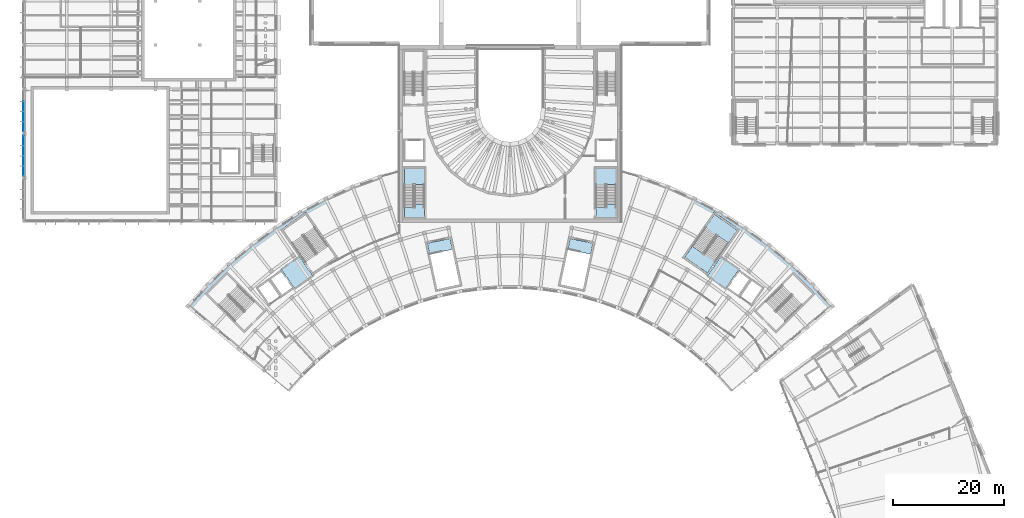
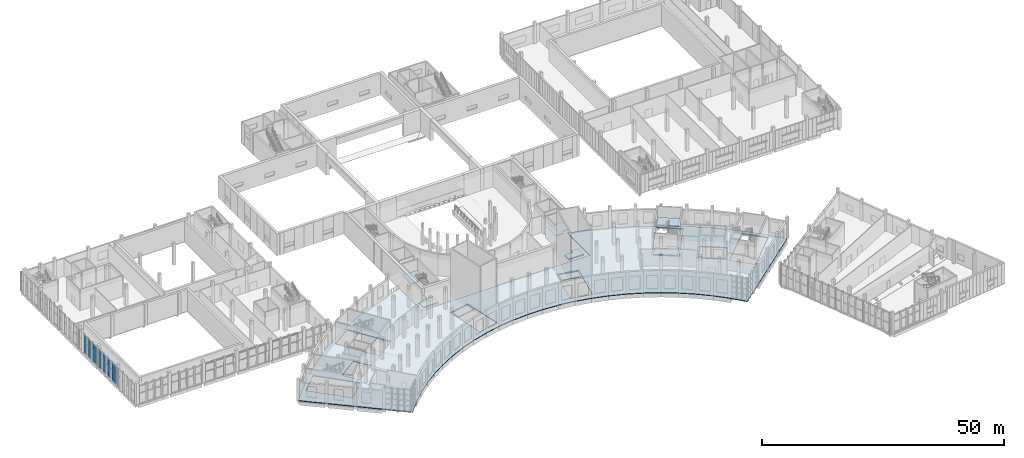
# One storey, part 26 of 87: 14 plates, 9 slabs, 5 elements without a shape of their own.
"""IFC4 building model written with IfcOpenShell, lengths in metres."""

from ifc_helpers import new_model, si_unit, direction, frame, origin, origin_2d, place, context, subcontext, project, spatial, polyline, rectangle, outline, extrude, material, layer, layer_set, type_object, element, aggregate, save


model = new_model("IFC4")

# Units and contexts
model_context = context("Model", 3, precision=1e-05, world=origin(), true_north=direction((0.0, 1.0)))
body_context = subcontext(model_context, "Body", "Model", "MODEL_VIEW")
ifc_project = project(units=[si_unit("LENGTHUNIT", "METRE"), si_unit("AREAUNIT", "SQUARE_METRE"), si_unit("VOLUMEUNIT", "CUBIC_METRE"), si_unit("PLANEANGLEUNIT", "RADIAN"), si_unit("MASSUNIT", "GRAM", prefix="KILO")], contexts=[model_context])

# Site, building, storey
site_placement = place(None, origin())
site = spatial("IfcSite", under=ifc_project, at=site_placement, CompositionType="ELEMENT")
building_placement = place(site_placement, origin())
building = spatial("IfcBuilding", under=site, at=building_placement, Name="Lunette Opera House", CompositionType="ELEMENT")
storey_placement = place(building_placement, frame((0.0, 0.0, 11.5)))
storey = spatial("IfcBuildingStorey", under=building, at=storey_placement, Name="L02", CompositionType="ELEMENT", Elevation=11.5)

# Slabs
ifc_material_1 = material(Name="Concrete C35/45", Category="concrete")
ifc_layer_1 = layer(ifc_material_1, 0.219970703125)
ifc_layer_set_1 = layer_set([ifc_layer_1], Name="Concrete C35/45")
slab_type_1 = type_object("IfcSlabType", Name="CORE LANDING SLAB 220", PredefinedType="LANDING", material=ifc_layer_set_1)
slab_1_placement = place(storey_placement, frame((0.0, 0.0, -0.219970703125)))
element("IfcSlab", 1, at=slab_1_placement, inside=storey, type_object=slab_type_1, Name="GS1 floor landing", PredefinedType="LANDING", context=body_context, shape_type="SweptSolid", body=[
    extrude(outline(polyline([(85.1640625, 61.08203125), (85.58203125, 59.115966796875), (83.625, 58.699951171875), (83.623046875, 58.7099609375), (81.471923828125, 58.2529296875), (81.055908203125, 60.208984375), (85.1640625, 61.08203125)])), origin(), (0.0, 0.0, 1.0), 0.219970703125),
])
slab_2_placement = place(storey_placement, frame((0.0, 0.0, -0.219970703125)))
element("IfcSlab", 2, at=slab_2_placement, inside=storey, type_object=slab_type_1, Name="GS2 floor landing", PredefinedType="LANDING", context=body_context, shape_type="SweptSolid", body=[
    extrude(outline(polyline([(110.944091796875, 60.208984375), (110.52587890625, 58.242919921875), (108.570068359375, 58.658935546875), (108.572021484375, 58.6689453125), (106.419921875, 59.1259765625), (106.8359375, 61.08203125), (110.944091796875, 60.208984375)])), origin(), (0.0, 0.0, 1.0), 0.219970703125),
])
slab_3_placement = place(storey_placement, frame((0.0, 0.0, -0.219970703125)))
element("IfcSlab", 3, at=slab_3_placement, inside=storey, type_object=slab_type_1, Name="ST3 floor landing", PredefinedType="LANDING", context=body_context, shape_type="SweptSolid", body=[
    extrude(outline(polyline([(127.5029296875, 57.718994140625), (128.885986328125, 59.693115234375), (130.85205078125, 58.31689453125), (130.845947265625, 58.30810546875), (131.010009765625, 58.193115234375), (131.412109375, 58.76708984375), (133.3779296875, 57.389892578125), (131.60009765625, 54.85107421875), (127.5029296875, 57.718994140625)])), origin(), (0.0, 0.0, 1.0), 0.219970703125),
])
ifc_material_2 = material(Name="Concrete C35/45", Category="concrete")
ifc_layer_2 = layer(ifc_material_2, 0.300048828125)
ifc_layer_set_2 = layer_set([ifc_layer_2], Name="Concrete C35/45")
slab_type_2 = type_object("IfcSlabType", Name="CORE LANDING SLAB 300", PredefinedType="LANDING", material=ifc_layer_set_2)
slab_4_placement = place(storey_placement, frame((0.0, 0.0, -0.300048828125)))
element("IfcSlab", 4, at=slab_4_placement, inside=storey, type_object=slab_type_2, Name="ST7 floor landing", PredefinedType="LANDING", context=body_context, shape_type="SweptSolid", body=[
    extrude(outline(polyline([(76.89990234375, 64.89990234375), (76.89990234375, 66.6298828125), (78.6201171875, 66.6298828125), (78.6201171875, 66.6201171875), (78.780029296875, 66.6201171875), (78.780029296875, 67.320068359375), (80.5, 67.320068359375), (80.5, 64.89990234375), (76.89990234375, 64.89990234375)])), origin(), (0.0, 0.0, 1.0), 0.300048828125),
])
slab_5_placement = place(storey_placement, frame((0.0, 0.0, -0.300048828125)))
element("IfcSlab", 5, at=slab_5_placement, inside=storey, type_object=slab_type_2, Name="ST8 floor landing", PredefinedType="LANDING", context=body_context, shape_type="SweptSolid", body=[
    extrude(outline(polyline([(111.5, 64.89990234375), (111.5, 66.6298828125), (113.219970703125, 66.6298828125), (113.219970703125, 66.6201171875), (113.3798828125, 66.6201171875), (113.3798828125, 67.320068359375), (115.10009765625, 67.320068359375), (115.10009765625, 64.89990234375), (111.5, 64.89990234375)])), origin(), (0.0, 0.0, 1.0), 0.300048828125),
])

# Curtain wall, plates
ifc_material_3 = material(Name="Aluminium", Category="aluminium")
ifc_layer_3 = layer(ifc_material_3, 0.179931640625)
ifc_layer_set_3 = layer_set([ifc_layer_3], Name="Aluminium")
curtain_wall_type = type_object("IfcCurtainWallType", Name="SUN FACE CURTAIN WALL", PredefinedType="NOTDEFINED", material=ifc_layer_set_3)
curtain_wall_1_placement = place(storey_placement, origin())
curtain_wall_1 = element("IfcCurtainWall", 6, at=curtain_wall_1_placement, inside=storey, type_object=curtain_wall_type, Name="Sun Face Curtain Wall F16 L02", PredefinedType="NOTDEFINED")
ifc_material_4 = material(Name="Laminated glass", Category="glass")
ifc_layer_4 = layer(ifc_material_4, 0.028076171875)
ifc_layer_set_4 = layer_set([ifc_layer_4], Name="Laminated glass")
plate_type = type_object("IfcPlateType", Name="CURTAIN PANEL LAMINATED GLASS 28", PredefinedType="CURTAIN_PANEL", material=ifc_layer_set_4)
plate_1_placement = place(storey_placement, frame((8.181884765625, 84.91748046875, 0.06005859375), z_axis=(0.0, 0.0, 1.0), x_axis=(0.0, -1.0, 0.0)))
plate_1 = element("IfcPlate", 7, at=plate_1_placement, type_object=plate_type, Name="RW-X2032 panel 2.1", PredefinedType="CURTAIN_PANEL", context=body_context, shape_type="SweptSolid", body=[
    extrude(rectangle(XDim=1.77490234375, YDim=0.028076171875, at=origin_2d()), origin(), (0.0, 0.0, 1.0), 2.5849609375),
])
plate_2_placement = place(storey_placement, frame((8.181884765625, 84.91748046875, 2.705078125), z_axis=(0.0, 0.0, 1.0), x_axis=(0.0, -1.0, 0.0)))
plate_2 = element("IfcPlate", 8, at=plate_2_placement, type_object=plate_type, Name="RW-X2032 panel 2.2", PredefinedType="CURTAIN_PANEL", context=body_context, shape_type="SweptSolid", body=[
    extrude(rectangle(XDim=1.77490234375, YDim=0.028076171875, at=origin_2d()), origin(), (0.0, 0.0, 1.0), 1.784912109375),
])
plate_3_placement = place(storey_placement, frame((8.181884765625, 83.08251953125, 0.06005859375), z_axis=(0.0, 0.0, 1.0), x_axis=(0.0, -1.0, 0.0)))
plate_3 = element("IfcPlate", 9, at=plate_3_placement, type_object=plate_type, Name="RW-X2032 panel 3.1", PredefinedType="CURTAIN_PANEL", context=body_context, shape_type="SweptSolid", body=[
    extrude(rectangle(XDim=1.77490234375, YDim=0.028076171875, at=origin_2d()), origin(), (0.0, 0.0, 1.0), 2.5849609375),
])
plate_4_placement = place(storey_placement, frame((8.181884765625, 83.08251953125, 2.705078125), z_axis=(0.0, 0.0, 1.0), x_axis=(0.0, -1.0, 0.0)))
plate_4 = element("IfcPlate", 10, at=plate_4_placement, type_object=plate_type, Name="RW-X2032 panel 3.2", PredefinedType="CURTAIN_PANEL", context=body_context, shape_type="SweptSolid", body=[
    extrude(rectangle(XDim=1.77490234375, YDim=0.028076171875, at=origin_2d()), origin(), (0.0, 0.0, 1.0), 1.784912109375),
])
plate_5_placement = place(storey_placement, frame((8.181884765625, 81.262451171875, 0.06005859375), z_axis=(0.0, 0.0, 1.0), x_axis=(0.0, -1.0, 0.0)))
plate_5 = element("IfcPlate", 11, at=plate_5_placement, type_object=plate_type, Name="RW-X2032 panel 4.1", PredefinedType="CURTAIN_PANEL", context=body_context, shape_type="SweptSolid", body=[
    extrude(rectangle(XDim=1.7451171875, YDim=0.028076171875, at=origin_2d()), origin(), (0.0, 0.0, 1.0), 2.5849609375),
])
plate_6_placement = place(storey_placement, frame((8.181884765625, 81.262451171875, 2.705078125), z_axis=(0.0, 0.0, 1.0), x_axis=(0.0, -1.0, 0.0)))
plate_6 = element("IfcPlate", 12, at=plate_6_placement, type_object=plate_type, Name="RW-X2032 panel 4.2", PredefinedType="CURTAIN_PANEL", context=body_context, shape_type="SweptSolid", body=[
    extrude(rectangle(XDim=1.7451171875, YDim=0.028076171875, at=origin_2d()), origin(), (0.0, 0.0, 1.0), 1.784912109375),
])
aggregate(curtain_wall_1, [plate_1, plate_2, plate_3, plate_4, plate_5, plate_6])

curtain_wall_2_placement = place(storey_placement, origin())
curtain_wall_2 = element("IfcCurtainWall", 13, at=curtain_wall_2_placement, inside=storey, type_object=curtain_wall_type, Name="Sun Face Curtain Wall F17 L02", PredefinedType="NOTDEFINED")
plate_7_placement = place(storey_placement, frame((8.181884765625, 78.737548828125, 0.06005859375), z_axis=(0.0, 0.0, 1.0), x_axis=(0.0, -1.0, 0.0)))
plate_7 = element("IfcPlate", 14, at=plate_7_placement, type_object=plate_type, Name="RW-X2033 panel 1.1", PredefinedType="CURTAIN_PANEL", context=body_context, shape_type="SweptSolid", body=[
    extrude(rectangle(XDim=1.7451171875, YDim=0.028076171875, at=origin_2d()), origin(), (0.0, 0.0, 1.0), 2.5849609375),
])
plate_8_placement = place(storey_placement, frame((8.181884765625, 78.737548828125, 2.705078125), z_axis=(0.0, 0.0, 1.0), x_axis=(0.0, -1.0, 0.0)))
plate_8 = element("IfcPlate", 15, at=plate_8_placement, type_object=plate_type, Name="RW-X2033 panel 1.2", PredefinedType="CURTAIN_PANEL", context=body_context, shape_type="SweptSolid", body=[
    extrude(rectangle(XDim=1.7451171875, YDim=0.028076171875, at=origin_2d()), origin(), (0.0, 0.0, 1.0), 1.784912109375),
])
plate_9_placement = place(storey_placement, frame((8.181884765625, 76.91748046875, 0.06005859375), z_axis=(0.0, 0.0, 1.0), x_axis=(0.0, -1.0, 0.0)))
plate_9 = element("IfcPlate", 16, at=plate_9_placement, type_object=plate_type, Name="RW-X2033 panel 2.1", PredefinedType="CURTAIN_PANEL", context=body_context, shape_type="SweptSolid", body=[
    extrude(rectangle(XDim=1.77490234375, YDim=0.028076171875, at=origin_2d()), origin(), (0.0, 0.0, 1.0), 2.5849609375),
])
plate_10_placement = place(storey_placement, frame((8.181884765625, 76.91748046875, 2.705078125), z_axis=(0.0, 0.0, 1.0), x_axis=(0.0, -1.0, 0.0)))
plate_10 = element("IfcPlate", 17, at=plate_10_placement, type_object=plate_type, Name="RW-X2033 panel 2.2", PredefinedType="CURTAIN_PANEL", context=body_context, shape_type="SweptSolid", body=[
    extrude(rectangle(XDim=1.77490234375, YDim=0.028076171875, at=origin_2d()), origin(), (0.0, 0.0, 1.0), 1.784912109375),
])
plate_11_placement = place(storey_placement, frame((8.181884765625, 75.08251953125, 0.06005859375), z_axis=(0.0, 0.0, 1.0), x_axis=(0.0, -1.0, 0.0)))
plate_11 = element("IfcPlate", 18, at=plate_11_placement, type_object=plate_type, Name="RW-X2033 panel 3.1", PredefinedType="CURTAIN_PANEL", context=body_context, shape_type="SweptSolid", body=[
    extrude(rectangle(XDim=1.77490234375, YDim=0.028076171875, at=origin_2d()), origin(), (0.0, 0.0, 1.0), 2.5849609375),
])
plate_12_placement = place(storey_placement, frame((8.181884765625, 75.08251953125, 2.705078125), z_axis=(0.0, 0.0, 1.0), x_axis=(0.0, -1.0, 0.0)))
plate_12 = element("IfcPlate", 19, at=plate_12_placement, type_object=plate_type, Name="RW-X2033 panel 3.2", PredefinedType="CURTAIN_PANEL", context=body_context, shape_type="SweptSolid", body=[
    extrude(rectangle(XDim=1.77490234375, YDim=0.028076171875, at=origin_2d()), origin(), (0.0, 0.0, 1.0), 1.784912109375),
])
plate_13_placement = place(storey_placement, frame((8.181884765625, 73.262451171875, 0.06005859375), z_axis=(0.0, 0.0, 1.0), x_axis=(0.0, -1.0, 0.0)))
plate_13 = element("IfcPlate", 20, at=plate_13_placement, type_object=plate_type, Name="RW-X2033 panel 4.1", PredefinedType="CURTAIN_PANEL", context=body_context, shape_type="SweptSolid", body=[
    extrude(rectangle(XDim=1.7451171875, YDim=0.028076171875, at=origin_2d()), origin(), (0.0, 0.0, 1.0), 2.5849609375),
])
plate_14_placement = place(storey_placement, frame((8.181884765625, 73.262451171875, 2.705078125), z_axis=(0.0, 0.0, 1.0), x_axis=(0.0, -1.0, 0.0)))
plate_14 = element("IfcPlate", 21, at=plate_14_placement, type_object=plate_type, Name="RW-X2033 panel 4.2", PredefinedType="CURTAIN_PANEL", context=body_context, shape_type="SweptSolid", body=[
    extrude(rectangle(XDim=1.7451171875, YDim=0.028076171875, at=origin_2d()), origin(), (0.0, 0.0, 1.0), 1.784912109375),
])
aggregate(curtain_wall_2, [plate_7, plate_8, plate_9, plate_10, plate_11, plate_12, plate_13, plate_14])

# Slab
ifc_material_5 = material(Name="Concrete C35/45", Category="concrete")
ifc_layer_5 = layer(ifc_material_5, 0.219970703125)
ifc_layer_set_5 = layer_set([ifc_layer_5], Name="Concrete C35/45")
slab_type_3 = type_object("IfcSlabType", Name="FLOOR SLAB 220", PredefinedType="FLOOR", material=ifc_layer_set_5)
slab_6_placement = place(storey_placement, frame((0.0, 0.0, -0.219970703125)))
element("IfcSlab", 22, at=slab_6_placement, inside=storey, type_object=slab_type_3, Name="slab-FC-L02-F1", PredefinedType="FLOOR", context=body_context, shape_type="SweptSolid", body=[
    extrude(outline(polyline([(130.794921875, 38.64404296875), (133.406005859375, 36.1220703125), (135.833984375, 33.425048828125), (145.027099609375, 41.137939453125), (154.218994140625, 48.85205078125), (150.669921875, 52.7939453125), (146.85400390625, 56.47900390625), (142.7900390625, 59.888916015625), (138.4990234375, 63.007080078125), (134.0, 65.818115234375), (129.31591796875, 68.30810546875), (124.469970703125, 70.466064453125), (119.485107421875, 72.280029296875), (116.0, 73.280029296875), (116.0, 64.0), (76.0, 64.0), (76.0, 73.280029296875), (72.514892578125, 72.280029296875), (67.530029296875, 70.466064453125), (62.68408203125, 68.30810546875), (58.0, 65.818115234375), (53.5009765625, 63.007080078125), (49.2099609375, 59.888916015625), (45.14599609375, 56.47900390625), (41.330078125, 52.7939453125), (37.781005859375, 48.85205078125), (46.972900390625, 41.137939453125), (56.166015625, 33.425048828125), (58.593994140625, 36.1220703125), (61.205078125, 38.64404296875), (63.986083984375, 40.97705078125), (66.922119140625, 43.110107421875), (70.0, 45.032958984375), (73.205078125, 46.737060546875), (76.52001953125, 48.214111328125), (79.930908203125, 49.455078125), (83.419921875, 50.455078125), (86.969970703125, 51.2099609375), (90.56494140625, 51.715087890625), (94.18505859375, 51.968017578125), (97.81494140625, 51.968017578125), (101.43505859375, 51.715087890625), (105.030029296875, 51.2099609375), (108.580078125, 50.455078125), (112.069091796875, 49.455078125), (115.47998046875, 48.214111328125), (118.794921875, 46.737060546875), (122.0, 45.032958984375), (125.077880859375, 43.110107421875), (128.013916015625, 40.97705078125), (130.794921875, 38.64404296875)]), holes=[polyline([(109.407958984375, 51.5380859375), (104.712890625, 52.535888671875), (106.60498046875, 61.43798828125), (111.300048828125, 60.43994140625), (109.407958984375, 51.5380859375)]), polyline([(87.287109375, 52.535888671875), (82.592041015625, 51.5380859375), (80.699951171875, 60.43994140625), (85.39501953125, 61.43798828125), (87.287109375, 52.535888671875)]), polyline([(44.912109375, 55.048095703125), (51.98291015625, 47.97705078125), (48.02294921875, 44.01708984375), (40.951904296875, 51.087890625), (44.912109375, 55.048095703125)]), polyline([(151.048095703125, 51.087890625), (143.97705078125, 44.01708984375), (140.01708984375, 47.97705078125), (147.087890625, 55.048095703125), (151.048095703125, 51.087890625)]), polyline([(50.1689453125, 52.202880859375), (52.462890625, 53.80908203125), (54.756103515625, 55.4150390625), (57.051025390625, 52.138916015625), (54.757080078125, 50.532958984375), (52.462890625, 48.927001953125), (50.1689453125, 52.202880859375)]), polyline([(139.537109375, 48.927001953125), (137.242919921875, 50.532958984375), (134.948974609375, 52.138916015625), (137.243896484375, 55.4150390625), (139.537109375, 53.80908203125), (141.8310546875, 52.202880859375), (139.537109375, 48.927001953125)]), polyline([(59.178955078125, 65.8369140625), (64.9140625, 57.64501953125), (60.326904296875, 54.43310546875), (54.591064453125, 62.625), (59.178955078125, 65.8369140625)]), polyline([(131.673095703125, 54.43310546875), (127.0859375, 57.64501953125), (132.821044921875, 65.8369140625), (137.408935546875, 62.625), (131.673095703125, 54.43310546875)])]), origin(), (0.0, 0.0, 1.0), 0.219970703125),
])

# Stair, slab
ifc_material_6 = material(Name="Concrete C35/45", Category="concrete")
stair_type_1 = type_object("IfcStairType", Name="DOGLEG STAIR 2400", PredefinedType="HALF_TURN_STAIR", material=ifc_material_6)
stair_1_placement = place(storey_placement, origin())
stair_1 = element("IfcStair", 23, at=stair_1_placement, inside=storey, type_object=stair_type_1, Name="L02 stair ST3", PredefinedType="HALF_TURN_STAIR")
ifc_material_7 = material(Name="Concrete C35/45", Category="concrete")
ifc_layer_6 = layer(ifc_material_7, 0.199951171875)
ifc_layer_set_6 = layer_set([ifc_layer_6], Name="Concrete C35/45")
slab_type_4 = type_object("IfcSlabType", Name="STAIR LANDING SLAB 200", PredefinedType="LANDING", material=ifc_layer_set_6)
slab_7_placement = place(storey_placement, frame((0.0, 0.0, 2.550048828125)))
slab_7 = element("IfcSlab", 24, at=slab_7_placement, type_object=slab_type_4, Name="ST3 landing 1", PredefinedType="LANDING", context=body_context, shape_type="SweptSolid", body=[
    extrude(outline(polyline([(135.37890625, 60.2490234375), (133.4130859375, 61.6259765625), (133.4189453125, 61.634033203125), (133.2548828125, 61.7490234375), (132.85302734375, 61.175048828125), (130.886962890625, 62.552001953125), (132.89501953125, 65.4189453125), (136.990966796875, 62.551025390625), (135.37890625, 60.2490234375)])), origin(), (0.0, 0.0, 1.0), 0.199951171875),
])
aggregate(stair_1, [slab_7])

ifc_material_8 = material(Name="Concrete C35/45", Category="concrete")
stair_type_2 = type_object("IfcStairType", Name="DOGLEG STAIR 1720", PredefinedType="HALF_TURN_STAIR", material=ifc_material_8)
stair_2_placement = place(storey_placement, origin())
stair_2 = element("IfcStair", 25, at=stair_2_placement, inside=storey, type_object=stair_type_2, Name="L02 stair ST7", PredefinedType="HALF_TURN_STAIR")
slab_8_placement = place(storey_placement, frame((0.0, 0.0, 2.550048828125)))
slab_8 = element("IfcSlab", 26, at=slab_8_placement, type_object=slab_type_4, Name="ST7 landing 1", PredefinedType="LANDING", context=body_context, shape_type="SweptSolid", body=[
    extrude(outline(polyline([(80.5, 70.81005859375), (78.780029296875, 70.81005859375), (78.780029296875, 70.820068359375), (78.6201171875, 70.820068359375), (78.6201171875, 70.1201171875), (76.89990234375, 70.1201171875), (76.89990234375, 73.699951171875), (80.5, 73.699951171875), (80.5, 70.81005859375)])), origin(), (0.0, 0.0, 1.0), 0.199951171875),
])
aggregate(stair_2, [slab_8])

stair_3_placement = place(storey_placement, origin())
stair_3 = element("IfcStair", 27, at=stair_3_placement, inside=storey, type_object=stair_type_2, Name="L02 stair ST8", PredefinedType="HALF_TURN_STAIR")
slab_9_placement = place(storey_placement, frame((0.0, 0.0, 2.550048828125)))
slab_9 = element("IfcSlab", 28, at=slab_9_placement, type_object=slab_type_4, Name="ST8 landing 1", PredefinedType="LANDING", context=body_context, shape_type="SweptSolid", body=[
    extrude(outline(polyline([(115.10009765625, 70.81005859375), (113.3798828125, 70.81005859375), (113.3798828125, 70.820068359375), (113.219970703125, 70.820068359375), (113.219970703125, 70.1201171875), (111.5, 70.1201171875), (111.5, 73.699951171875), (115.10009765625, 73.699951171875), (115.10009765625, 70.81005859375)])), origin(), (0.0, 0.0, 1.0), 0.199951171875),
])
aggregate(stair_3, [slab_9])

save(model, "model.ifc")
